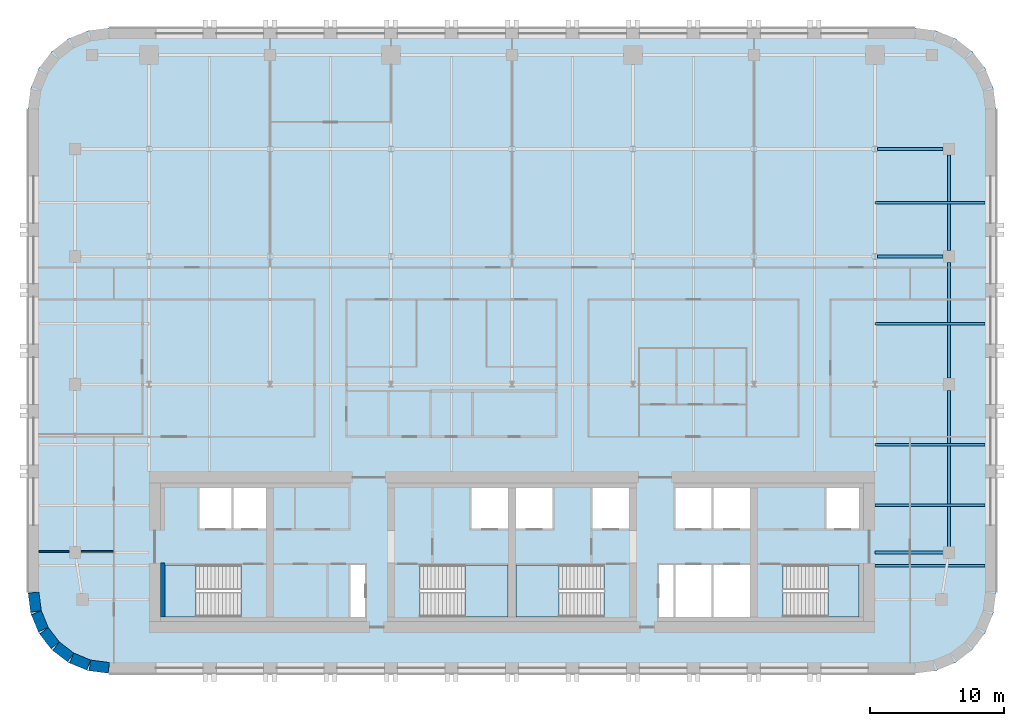
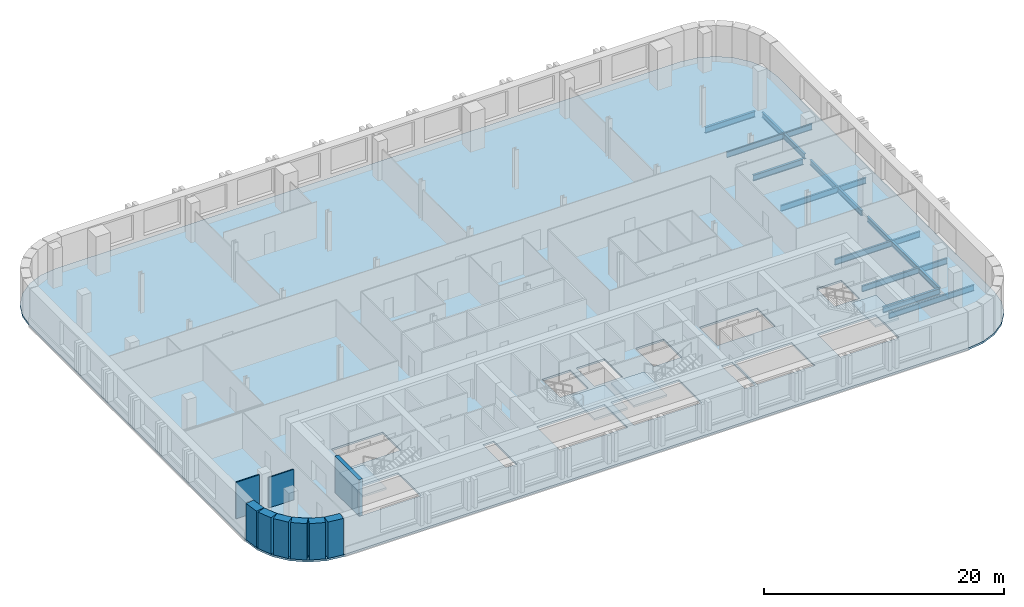
# One storey, part 2 of 11: 11 beams, 9 walls, 5 slabs, 4 elements without a shape of their own.
"""IFC4 building model written with IfcOpenShell, lengths in metres."""

from ifc_helpers import new_model, si_unit, direction, frame, frame_2d, origin, origin_2d, place, context, subcontext, project, spatial, polyline, rectangle, i_section, outline, extrude, material, layer, layer_set, material_profile, profile_set, type_object, element, aggregate, save


model = new_model("IFC4")

# Units and contexts
model_context = context("Model", 3, precision=1e-05, world=origin(), true_north=direction((0.0, 1.0)))
body_context = subcontext(model_context, "Body", "Model", "MODEL_VIEW")
ifc_project = project(units=[si_unit("LENGTHUNIT", "METRE"), si_unit("AREAUNIT", "SQUARE_METRE"), si_unit("VOLUMEUNIT", "CUBIC_METRE"), si_unit("PLANEANGLEUNIT", "RADIAN"), si_unit("MASSUNIT", "GRAM", prefix="KILO")], contexts=[model_context])

# Site, building, storey
site_placement = place(None, origin())
site = spatial("IfcSite", under=ifc_project, at=site_placement, CompositionType="ELEMENT")
building_placement = place(site_placement, origin())
building = spatial("IfcBuilding", under=site, at=building_placement, Name="Zellij Exchange Tower", CompositionType="ELEMENT")
storey_placement = place(building_placement, frame((0.0, 0.0, 208.5)))
storey = spatial("IfcBuildingStorey", under=building, at=storey_placement, Name="L48", CompositionType="ELEMENT", Elevation=208.5)

# Beams
ifc_material_1 = material(Name="Structural steel ASTM A992 Gr 50", Category="steel")
ifc_material_profile_1 = material_profile(ifc_material_1, i_section(OverallWidth=0.177978515625, OverallDepth=0.599365234375, WebThickness=0.010009765625, FlangeThickness=0.012939453125, at=origin_2d()), Name="W24x55")
ifc_profile_set_1 = profile_set([ifc_material_profile_1], Name="Structural steel ASTM A992 Gr 50")
beam_type_1 = type_object("IfcBeamType", Name="STR-BEAM W24x55", PredefinedType="BEAM", material=ifc_profile_set_1)
for number, where, z_axis, x_axis, name in (
    (1, (27.0, -9.0, -0.499755859375), (1.0, 0.0, 0.0), (0.0, 1.0, 0.0), "B4"),
    (2, (27.0, -4.5, -0.499755859375), (1.0, 0.0, 0.0), (0.0, 1.0, 0.0), "B4"),
    (3, (27.0, 0.0, -0.499755859375), (1.0, 0.0, 0.0), (0.0, 1.0, 0.0), "B4"),
    (4, (27.0, 9.0, -0.499755859375), (1.0, 0.0, 0.0), (0.0, 1.0, 0.0), "B4"),
    (5, (27.0, 18.0, -0.499755859375), (1.0, 0.0, 0.0), (0.0, 1.0, 0.0), "B4"),
):
    element("IfcBeam", number, at=place(storey_placement, frame(where, z_axis=z_axis, x_axis=x_axis)), inside=storey, type_object=beam_type_1, Name=name, PredefinedType="BEAM", context=body_context, shape_type="SweptSolid", body=[
        extrude(i_section(OverallWidth=0.177978515625, OverallDepth=0.599365234375, WebThickness=0.010009765625, FlangeThickness=0.012939453125, at=origin_2d()), origin(), (0.0, 0.0, 1.0), 8.199951171875),
    ])
ifc_material_profile_2 = material_profile(ifc_material_1, i_section(OverallWidth=0.209228515625, OverallDepth=0.533447265625, WebThickness=0.01025390625, FlangeThickness=0.015625, at=origin_2d()), Name="W21x62")
ifc_profile_set_2 = profile_set([ifc_material_profile_2], Name="Structural steel ASTM A992 Gr 50")
beam_type_2 = type_object("IfcBeamType", Name="STR-EDGE GIRDER W21x62", PredefinedType="BEAM", material=ifc_profile_set_2)
beam_1_placement = place(storey_placement, frame((32.5, -8.0, -0.466796875), z_axis=(0.0, 1.0, 0.0), x_axis=(-1.0, 0.0, 0.0)))
element("IfcBeam", 6, at=beam_1_placement, inside=storey, type_object=beam_type_2, Name="EB3", PredefinedType="BEAM", context=body_context, shape_type="SweptSolid", body=[
    extrude(i_section(OverallWidth=0.209228515625, OverallDepth=0.533447265625, WebThickness=0.01025390625, FlangeThickness=0.015625, at=origin_2d()), origin(), (0.0, 0.0, 1.0), 12.050048828125),
])
beam_2_placement = place(storey_placement, frame((32.5, 4.949951171875, -0.466796875), z_axis=(0.0, 1.0, 0.0), x_axis=(-1.0, 0.0, 0.0)))
element("IfcBeam", 7, at=beam_2_placement, inside=storey, type_object=beam_type_2, Name="EB3", PredefinedType="BEAM", context=body_context, shape_type="SweptSolid", body=[
    extrude(i_section(OverallWidth=0.209228515625, OverallDepth=0.533447265625, WebThickness=0.01025390625, FlangeThickness=0.015625, at=origin_2d()), origin(), (0.0, 0.0, 1.0), 8.60009765625),
])
beam_3_placement = place(storey_placement, frame((32.5, 14.449951171875, -0.466796875), z_axis=(0.0, 1.0, 0.0), x_axis=(-1.0, 0.0, 0.0)))
element("IfcBeam", 8, at=beam_3_placement, inside=storey, type_object=beam_type_2, Name="EB3", PredefinedType="BEAM", context=body_context, shape_type="SweptSolid", body=[
    extrude(i_section(OverallWidth=0.209228515625, OverallDepth=0.533447265625, WebThickness=0.01025390625, FlangeThickness=0.015625, at=origin_2d()), origin(), (0.0, 0.0, 1.0), 7.10009765625),
])
ifc_material_profile_3 = material_profile(ifc_material_1, i_section(OverallWidth=0.228271484375, OverallDepth=0.607177734375, WebThickness=0.01123046875, FlangeThickness=0.017333984375, at=origin_2d()), Name="W24x76")
ifc_profile_set_3 = profile_set([ifc_material_profile_3], Name="Structural steel ASTM A992 Gr 50")
beam_type_3 = type_object("IfcBeamType", Name="STR-GIRDER W24x76", PredefinedType="BEAM", material=ifc_profile_set_3)
beam_4_placement = place(storey_placement, frame((27.0, -8.0, -0.50341796875), z_axis=(1.0, 0.0, 0.0), x_axis=(0.0, 1.0, 0.0)))
element("IfcBeam", 9, at=beam_4_placement, inside=storey, type_object=beam_type_3, Name="G2", PredefinedType="BEAM", context=body_context, shape_type="SweptSolid", body=[
    extrude(i_section(OverallWidth=0.228271484375, OverallDepth=0.607177734375, WebThickness=0.01123046875, FlangeThickness=0.017333984375, at=origin_2d()), origin(), (0.0, 0.0, 1.0), 5.5),
])
for number, where, z_axis, x_axis, name in (
    (10, (27.20458984375, 14.0, -0.50341796875), (1.0, 0.0, 0.0), (0.0, 1.0, 0.0), "G2"),
    (11, (27.20458984375, 22.0, -0.50341796875), (1.0, 0.0, 0.0), (0.0, 1.0, 0.0), "G2"),
):
    element("IfcBeam", number, at=place(storey_placement, frame(where, z_axis=z_axis, x_axis=x_axis)), inside=storey, type_object=beam_type_3, Name=name, PredefinedType="BEAM", context=body_context, shape_type="SweptSolid", body=[
        extrude(i_section(OverallWidth=0.228271484375, OverallDepth=0.607177734375, WebThickness=0.01123046875, FlangeThickness=0.017333984375, at=origin_2d()), origin(), (0.0, 0.0, 1.0), 4.845458984375),
    ])

# Stair, slab
ifc_material_2 = material(Name="Concrete C40/50", Category="concrete")
stair_type = type_object("IfcStairType", Name="CORE-ST exit stair 1850 wide", PredefinedType="HALF_TURN_STAIR", material=ifc_material_2)
stair_1_placement = place(storey_placement, origin())
stair_1 = element("IfcStair", 12, at=stair_1_placement, inside=storey, type_object=stair_type, Name="L48 exit stair ST1", PredefinedType="HALF_TURN_STAIR")
ifc_layer_1 = layer(ifc_material_2, 0.199951171875)
ifc_layer_set_1 = layer_set([ifc_layer_1], Name="Concrete C40/50")
slab_type_1 = type_object("IfcSlabType", Name="CORE-SL stair landing 200", PredefinedType="LANDING", material=ifc_layer_set_1)
slab_1_placement = place(storey_placement, frame((0.0, 0.0, 1.800048828125)))
slab_1 = element("IfcSlab", 13, at=slab_1_placement, type_object=slab_type_1, Name="ST1 landing 1", PredefinedType="LANDING", context=body_context, shape_type="SweptSolid", body=[
    extrude(outline(polyline([(-23.510009765625, -8.949951171875), (-25.800048828125, -8.949951171875), (-25.800048828125, -12.800048828125), (-23.510009765625, -12.800048828125), (-23.510009765625, -8.949951171875)])), origin(), (0.0, 0.0, 1.0), 0.199951171875),
])
aggregate(stair_1, [slab_1])

stair_2_placement = place(storey_placement, origin())
stair_2 = element("IfcStair", 14, at=stair_2_placement, inside=storey, type_object=stair_type, Name="L48 exit stair ST2", PredefinedType="HALF_TURN_STAIR")
slab_2_placement = place(storey_placement, frame((0.0, 0.0, 1.800048828125)))
slab_2 = element("IfcSlab", 15, at=slab_2_placement, type_object=slab_type_1, Name="ST2 landing 1", PredefinedType="LANDING", context=body_context, shape_type="SweptSolid", body=[
    extrude(outline(polyline([(-3.489990234375, -12.800048828125), (-0.300048828125, -12.800048828125), (-0.300048828125, -8.949951171875), (-3.489990234375, -8.949951171875), (-3.489990234375, -12.800048828125)])), origin(), (0.0, 0.0, 1.0), 0.199951171875),
])
aggregate(stair_2, [slab_2])

stair_3_placement = place(storey_placement, origin())
stair_3 = element("IfcStair", 16, at=stair_3_placement, inside=storey, type_object=stair_type, Name="L48 exit stair ST3", PredefinedType="HALF_TURN_STAIR")
slab_3_placement = place(storey_placement, frame((0.0, 0.0, 1.800048828125)))
slab_3 = element("IfcSlab", 17, at=slab_3_placement, type_object=slab_type_1, Name="ST3 landing 1", PredefinedType="LANDING", context=body_context, shape_type="SweptSolid", body=[
    extrude(outline(polyline([(3.489990234375, -8.949951171875), (0.300048828125, -8.949951171875), (0.300048828125, -12.800048828125), (3.489990234375, -12.800048828125), (3.489990234375, -8.949951171875)])), origin(), (0.0, 0.0, 1.0), 0.199951171875),
])
aggregate(stair_3, [slab_3])

stair_4_placement = place(storey_placement, origin())
stair_4 = element("IfcStair", 18, at=stair_4_placement, inside=storey, type_object=stair_type, Name="L48 exit stair ST4", PredefinedType="HALF_TURN_STAIR")
slab_4_placement = place(storey_placement, frame((0.0, 0.0, 1.800048828125)))
slab_4 = element("IfcSlab", 19, at=slab_4_placement, type_object=slab_type_1, Name="ST4 landing 1", PredefinedType="LANDING", context=body_context, shape_type="SweptSolid", body=[
    extrude(outline(polyline([(23.510009765625, -12.800048828125), (25.800048828125, -12.800048828125), (25.800048828125, -8.949951171875), (23.510009765625, -8.949951171875), (23.510009765625, -12.800048828125)])), origin(), (0.0, 0.0, 1.0), 0.199951171875),
])
aggregate(stair_4, [slab_4])

# Slab
ifc_layer_2 = layer(ifc_material_2, 0.199951171875)
ifc_layer_set_2 = layer_set([ifc_layer_2], Name="Concrete C40/50")
slab_type_2 = type_object("IfcSlabType", Name="STR-FLOOR SLAB 200 C40/50", PredefinedType="FLOOR", material=ifc_layer_set_2)
slab_5_placement = place(storey_placement, frame((0.0, 0.0, -0.2001953125)))
element("IfcSlab", 20, at=slab_5_placement, inside=storey, type_object=slab_type_2, Name="Floor L48", PredefinedType="FLOOR", context=body_context, shape_type="SweptSolid", body=[
    extrude(outline(polyline([(-30.0, -17.0), (-31.552978515625, -16.795654296875), (-33.0, -16.1962890625), (-34.24267578125, -15.24267578125), (-35.1962890625, -14.0), (-35.795654296875, -12.552978515625), (-36.0, -11.0), (-36.0, 25.0), (-35.795654296875, 26.552978515625), (-35.1962890625, 28.0), (-34.24267578125, 29.24267578125), (-33.0, 30.1962890625), (-31.552978515625, 30.795654296875), (-30.0, 31.0), (30.0, 31.0), (31.552978515625, 30.795654296875), (33.0, 30.1962890625), (34.24267578125, 29.24267578125), (35.1962890625, 28.0), (35.795654296875, 26.552978515625), (36.0, 25.0), (36.0, -11.0), (35.795654296875, -12.552978515625), (35.1962890625, -14.0), (34.24267578125, -15.24267578125), (33.0, -16.1962890625), (31.552978515625, -16.795654296875), (30.0, -17.0), (-30.0, -17.0)]), holes=[polyline([(-25.800048828125, -8.949951171875), (-25.800048828125, -12.800048828125), (-20.153076171875, -12.800048828125), (-20.153076171875, -8.949951171875), (-25.800048828125, -8.949951171875)]), polyline([(-10.949951171875, -8.949951171875), (-12.0, -8.949951171875), (-12.0, -12.800048828125), (-10.949951171875, -12.800048828125), (-10.949951171875, -8.949951171875)]), polyline([(-0.300048828125, -8.949951171875), (-6.846923828125, -8.949951171875), (-6.846923828125, -12.800048828125), (-0.300048828125, -12.800048828125), (-0.300048828125, -8.949951171875)]), polyline([(0.300048828125, -8.949951171875), (0.300048828125, -12.800048828125), (6.846923828125, -12.800048828125), (6.846923828125, -8.949951171875), (0.300048828125, -8.949951171875)]), polyline([(-18.300048828125, -3.199951171875), (-23.25, -3.199951171875), (-23.25, -6.22509765625), (-18.300048828125, -6.22509765625), (-18.300048828125, -3.199951171875)]), polyline([(-0.300048828125, -3.199951171875), (-3.0, -3.199951171875), (-3.0, -6.22509765625), (-0.300048828125, -6.22509765625), (-0.300048828125, -3.199951171875)]), polyline([(0.300048828125, -3.199951171875), (0.300048828125, -6.22509765625), (3.0, -6.22509765625), (3.0, -3.199951171875), (0.300048828125, -3.199951171875)]), polyline([(12.0, -8.949951171875), (10.949951171875, -8.949951171875), (10.949951171875, -12.800048828125), (12.0, -12.800048828125), (12.0, -8.949951171875)]), polyline([(17.699951171875, -8.949951171875), (12.14990234375, -8.949951171875), (12.14990234375, -12.800048828125), (17.699951171875, -12.800048828125), (17.699951171875, -8.949951171875)]), polyline([(25.800048828125, -8.949951171875), (20.153076171875, -8.949951171875), (20.153076171875, -12.800048828125), (25.800048828125, -12.800048828125), (25.800048828125, -8.949951171875)]), polyline([(8.699951171875, -3.199951171875), (6.0, -3.199951171875), (6.0, -6.22509765625), (8.699951171875, -6.22509765625), (8.699951171875, -3.199951171875)]), polyline([(17.699951171875, -3.199951171875), (12.14990234375, -3.199951171875), (12.14990234375, -6.22509765625), (17.699951171875, -6.22509765625), (17.699951171875, -3.199951171875)]), polyline([(25.800048828125, -3.199951171875), (23.39990234375, -3.199951171875), (23.39990234375, -6.22509765625), (25.800048828125, -6.22509765625), (25.800048828125, -3.199951171875)])]), origin(), (0.0, 0.0, 1.0), 0.2001953125),
])

# Walls
ifc_material_3 = material(Name="Concrete C30/37", Category="concrete")
ifc_layer_3 = layer(ifc_material_3, 0.35009765625)
ifc_layer_set_3 = layer_set([ifc_layer_3], Name="Concrete C30/37")
wall_type_1 = type_object("IfcWallType", Name="CORE-LW 350 C30/37", PredefinedType="SHEAR", material=ifc_layer_set_3)
wall_1_placement = place(storey_placement, frame((-25.97509765625, -12.800048828125, 0.0), z_axis=(0.0, 0.0, 1.0), x_axis=(0.0, 1.0, 0.0)))
element("IfcWall", 21, at=wall_1_placement, inside=storey, type_object=wall_type_1, Name="Core wall lining end w.0 L48", PredefinedType="SHEAR", context=body_context, shape_type="SweptSolid", body=[
    extrude(rectangle(XDim=4.0, YDim=0.35009765625, at=frame_2d((2.0, 0.0))), origin(), (0.0, 0.0, 1.0), 3.699951171875),
])
ifc_material_4 = material(Name="Precast concrete C40/50", Category="concrete")
ifc_layer_4 = layer(ifc_material_4, 0.800048828125)
ifc_layer_set_4 = layer_set([ifc_layer_4], Name="Precast concrete C40/50")
wall_type_2 = type_object("IfcWallType", Name="ENV-EW1 Precast stone-piered wall 800", PredefinedType="SOLIDWALL", material=ifc_layer_set_4)
wall_2_placement = place(storey_placement, frame((-35.5966796875, -10.999755859375, 0.0), z_axis=(0.0, 0.0, 1.0), x_axis=(0.130517283865, -0.99144603414, 0.0)))
element("IfcWall", 22, at=wall_2_placement, inside=storey, type_object=wall_type_2, Name="fac.L48.22", PredefinedType="SOLIDWALL", context=body_context, shape_type="SweptSolid", body=[
    extrude(rectangle(XDim=1.408447265625, YDim=0.800048828125, at=frame_2d((0.7041015625, 0.0))), origin(), (0.0, 0.0, 1.0), 3.699951171875),
])
wall_3_placement = place(storey_placement, frame((-35.3857421875, -12.497314453125, 0.0), z_axis=(0.0, 0.0, 1.0), x_axis=(0.38276009378, -0.923847774587, 0.0)))
element("IfcWall", 23, at=wall_3_placement, inside=storey, type_object=wall_type_2, Name="fac.L48.23", PredefinedType="SOLIDWALL", context=body_context, shape_type="SweptSolid", body=[
    extrude(rectangle(XDim=1.35546875, YDim=0.800048828125, at=frame_2d((0.677734375, 0.0))), origin(), (0.0, 0.0, 1.0), 3.699951171875),
])
for number, where, z_axis, x_axis, name in (
    (24, (-34.814697265625, -13.840087890625, 0.0), (0.0, 0.0, 1.0), (0.608866226366, -0.793272915452, 0.0), "fac.L48.24"),
    (25, (-33.91552734375, -14.9892578125, 0.0), (0.0, 0.0, 1.0), (0.793272915452, -0.608866226366, 0.0), "fac.L48.25"),
):
    element("IfcWall", number, at=place(storey_placement, frame(where, z_axis=z_axis, x_axis=x_axis)), inside=storey, type_object=wall_type_2, Name=name, PredefinedType="SOLIDWALL", context=body_context, shape_type="SweptSolid", body=[
        extrude(rectangle(XDim=1.355712890625, YDim=0.800048828125, at=frame_2d((0.677734375, 0.0))), origin(), (0.0, 0.0, 1.0), 3.699951171875),
    ])
wall_4_placement = place(storey_placement, frame((-32.74951171875, -15.866943359375, 0.0), z_axis=(0.0, 0.0, 1.0), x_axis=(0.923847774587, -0.38276009378, 0.0)))
element("IfcWall", 26, at=wall_4_placement, inside=storey, type_object=wall_type_2, Name="fac.L48.26", PredefinedType="SOLIDWALL", context=body_context, shape_type="SweptSolid", body=[
    extrude(rectangle(XDim=1.35546875, YDim=0.800048828125, at=frame_2d((0.677734375, 0.0))), origin(), (0.0, 0.0, 1.0), 3.699951171875),
])
wall_5_placement = place(storey_placement, frame((-31.396240234375, -16.412841796875, 0.0), z_axis=(0.0, 0.0, 1.0), x_axis=(0.99144603414, -0.130517283865, 0.0)))
element("IfcWall", 27, at=wall_5_placement, inside=storey, type_object=wall_type_2, Name="fac.L48.27", PredefinedType="SOLIDWALL", context=body_context, shape_type="SweptSolid", body=[
    extrude(rectangle(XDim=1.408447265625, YDim=0.800048828125, at=frame_2d((0.7041015625, 0.0))), origin(), (0.0, 0.0, 1.0), 3.699951171875),
])
ifc_material_5 = material(Name="Gypsum board partition on steel studs", Category="steel")
ifc_layer_5 = layer(ifc_material_5, 0.10009765625)
ifc_layer_set_5 = layer_set([ifc_layer_5], Name="Gypsum board partition on steel studs")
wall_type_3 = type_object("IfcWallType", Name="FIT-PARTITION-100", PredefinedType="PARTITIONING", material=ifc_layer_set_5)
wall_6_placement = place(storey_placement, frame((-35.199951171875, -7.949951171875, 0.0), z_axis=(0.0, 0.0, 1.0), x_axis=(1.0, 0.0, 0.0)))
element("IfcWall", 28, at=wall_6_placement, inside=storey, type_object=wall_type_3, Name="FIT-PARTITION-100 003", PredefinedType="PARTITIONING", context=body_context, shape_type="SweptSolid", body=[
    extrude(rectangle(XDim=2.25, YDim=0.10009765625, at=frame_2d((1.125, 0.0))), origin(), (0.0, 0.0, 1.0), 3.699951171875),
])
wall_7_placement = place(storey_placement, frame((-32.050048828125, -7.949951171875, 0.0), z_axis=(0.0, 0.0, 1.0), x_axis=(1.0, 0.0, 0.0)))
element("IfcWall", 29, at=wall_7_placement, inside=storey, type_object=wall_type_3, Name="FIT-PARTITION-100 004", PredefinedType="PARTITIONING", context=body_context, shape_type="SweptSolid", body=[
    extrude(rectangle(XDim=2.400146484375, YDim=0.10009765625, at=frame_2d((1.2001953125, 0.0))), origin(), (0.0, 0.0, 1.0), 3.093017578125),
])

save(model, "model.ifc")
